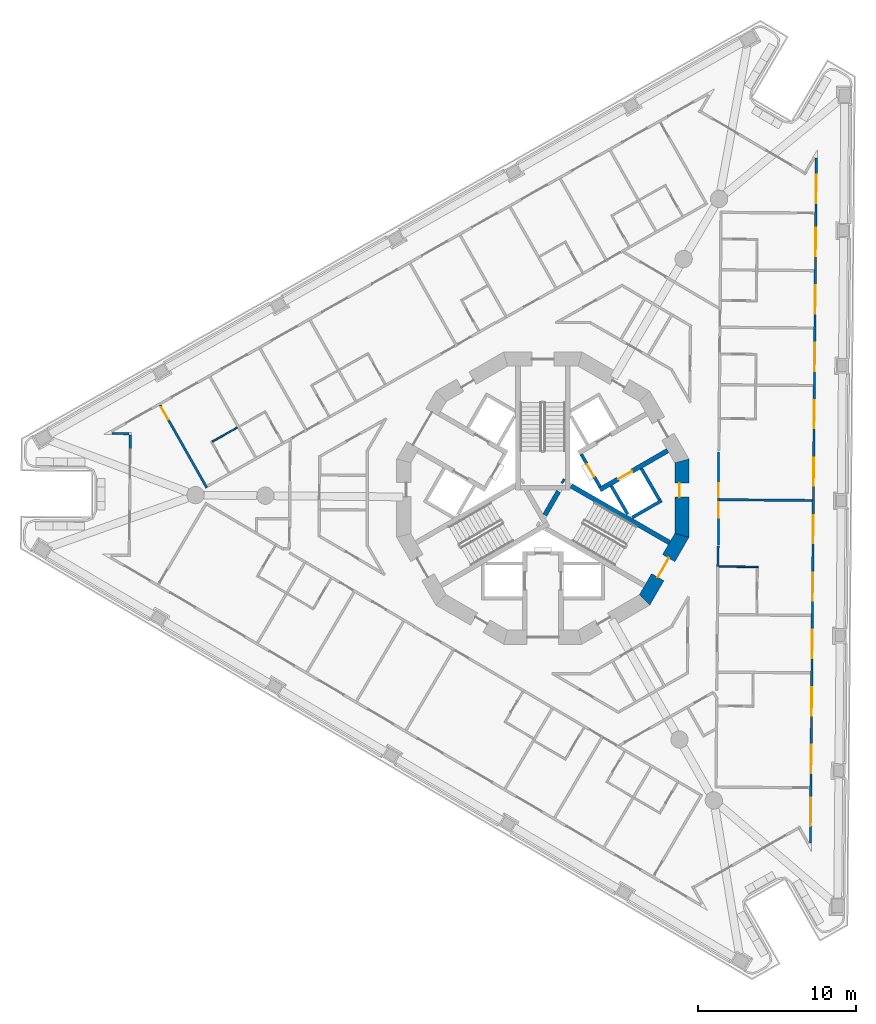
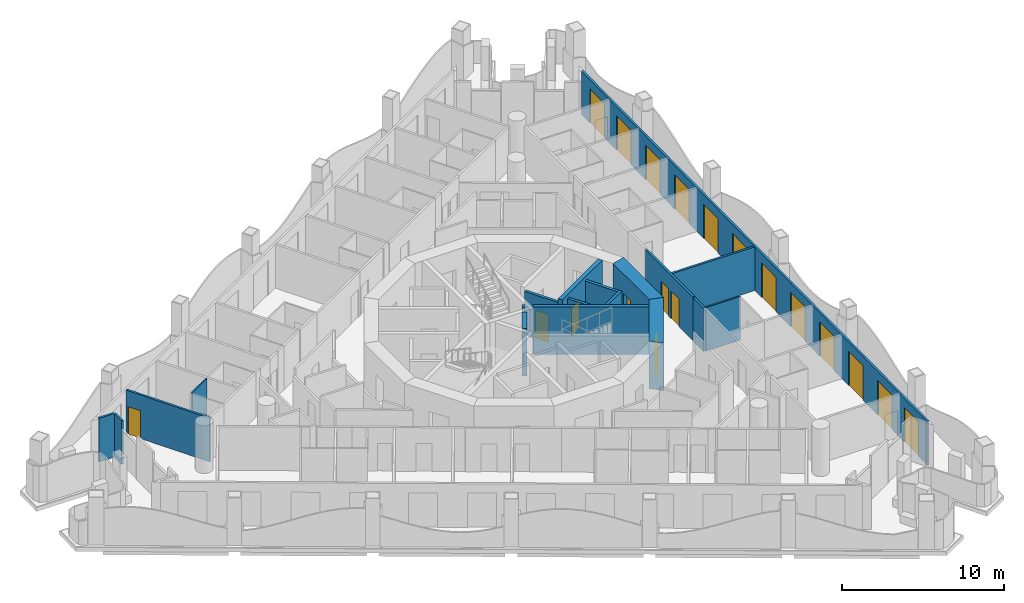
# One storey, part 6 of 17: 19 doors, 19 walls, 19 openings.
"""IFC4 building model written with IfcOpenShell, lengths in metres."""

from ifc_helpers import new_model, si_unit, direction, frame, frame_2d, origin, place, context, subcontext, project, spatial, polyline, rectangle, outline, extrude, material, layer, layer_set, type_object, element, fill, save


model = new_model("IFC4")

# Units and contexts
model_context = context("Model", 3, precision=1e-05, world=origin(), true_north=direction((0.0, 1.0)))
body_context = subcontext(model_context, "Body", "Model", "MODEL_VIEW")
ifc_project = project(units=[si_unit("LENGTHUNIT", "METRE"), si_unit("AREAUNIT", "SQUARE_METRE"), si_unit("VOLUMEUNIT", "CUBIC_METRE"), si_unit("PLANEANGLEUNIT", "RADIAN"), si_unit("MASSUNIT", "GRAM", prefix="KILO")], contexts=[model_context])

# Site, building, storey
site_placement = place(None, origin())
site = spatial("IfcSite", under=ifc_project, at=site_placement, CompositionType="ELEMENT")
building_placement = place(site_placement, origin())
building = spatial("IfcBuilding", under=site, at=building_placement, Name="Trine Commons Tower", CompositionType="ELEMENT")
storey_placement = place(building_placement, frame((0.0, 0.0, 179.10009765625)))
storey = spatial("IfcBuildingStorey", under=building, at=storey_placement, Name="L46", CompositionType="ELEMENT", Elevation=179.10009765625)

# Walls
ifc_material_1 = material(Name="Aluminium-framed insulated wall panel", Category="aluminium")
ifc_layer_1 = layer(ifc_material_1, 0.14990234375)
ifc_layer_set_1 = layer_set([ifc_layer_1], Name="Aluminium-framed insulated wall panel")
wall_type_1 = type_object("IfcWallType", Name="Glazed frame wall 150, EI 60", PredefinedType="SOLIDWALL", material=ifc_layer_set_1)
wall_1_placement = place(storey_placement, frame((53.816162109375, 65.628662109375, 0.0), z_axis=(0.0, 0.0, 1.0), x_axis=(0.008788723053, 0.999961378428, 0.0)))
element("IfcWall", 1, at=wall_1_placement, inside=storey, type_object=wall_type_1, Name="Glazed frame wall P1.5", PredefinedType="SOLIDWALL", context=body_context, shape_type="SweptSolid", body=[
    extrude(outline(polyline([(0.889892578125, 0.074951171875), (0.0, 0.074951171875), (0.0, -0.074951171875), (0.889892578125, -0.074951171875), (0.889892578125, 0.074951171875)])), origin(), (0.0, 0.0, 1.0), 3.2998046875),
])
wall_2_placement = place(storey_placement, frame((53.859619140625, 66.59326171875, 0.0), z_axis=(0.0, 0.0, 1.0), x_axis=(-0.999962043845, 0.008712684354, 0.0)))
element("IfcWall", 2, at=wall_2_placement, inside=storey, type_object=wall_type_1, Name="Glazed frame wall R3", PredefinedType="SOLIDWALL", context=body_context, shape_type="SweptSolid", body=[
    extrude(outline(polyline([(0.110107421875, 0.074951171875), (0.110107421875, -0.074951171875), (1.19580078125, -0.074951171875), (1.19580078125, 0.074951171875), (0.110107421875, 0.074951171875)])), origin(), (0.0, 0.0, 1.0), 3.2998046875),
])

# Wall, openings, doors
wall_3_placement = place(storey_placement, frame((97.36279296875, 84.232421875, 0.0), z_axis=(0.0, 0.0, 1.0), x_axis=(-0.00872447395, -0.999961941053, 0.0)))
wall_3 = element("IfcWall", 3, at=wall_3_placement, inside=storey, type_object=wall_type_1, Name="Glazed frame wall F2", PredefinedType="SOLIDWALL", context=body_context, shape_type="SweptSolid", body=[
    extrude(outline(polyline([(0.1494140625, 0.074951171875), (0.1494140625, -0.074951171875), (43.616943359375, -0.074951171875), (43.616943359375, 0.074951171875), (0.1494140625, 0.074951171875)])), origin(), (0.0, 0.0, 1.0), 3.2998046875),
])
opening_1_placement = place(wall_3_placement, frame((1.2236328125, 0.0, 0.0)))
opening_1 = element("IfcOpeningElement", 4, at=opening_1_placement, cuts=wall_3, Name="Opening BD-5F2-01", PredefinedType="OPENING", context=body_context, shape_type="SweptSolid", body=[
    extrude(rectangle(XDim=1.800048828125, YDim=2.60009765625, at=frame_2d((0.89990234375, 1.300048828125))), frame((0.0, 0.0849609375, 0.0), z_axis=(0.0, -1.0, 0.0), x_axis=(1.0, 0.0, 0.0)), (0.0, 0.0, 1.0), 0.169921875),
])
opening_2_placement = place(wall_3_placement, frame((4.57080078125, 0.0, 0.0)))
opening_2 = element("IfcOpeningElement", 5, at=opening_2_placement, cuts=wall_3, Name="Opening BD-5F2-02", PredefinedType="OPENING", context=body_context, shape_type="SweptSolid", body=[
    extrude(rectangle(XDim=1.800048828125, YDim=2.60009765625, at=frame_2d((0.89990234375, 1.300048828125))), frame((0.0, 0.0849609375, 0.0), z_axis=(0.0, -1.0, 0.0), x_axis=(1.0, 0.0, 0.0)), (0.0, 0.0, 1.0), 0.169921875),
])
opening_3_placement = place(wall_3_placement, frame((8.218017578125, 0.0, 0.0)))
opening_3 = element("IfcOpeningElement", 6, at=opening_3_placement, cuts=wall_3, Name="Opening BD-5F2-03", PredefinedType="OPENING", context=body_context, shape_type="SweptSolid", body=[
    extrude(rectangle(XDim=1.800048828125, YDim=2.60009765625, at=frame_2d((0.89990234375, 1.300048828125))), frame((0.0, 0.0849609375, 0.0), z_axis=(0.0, -1.0, 0.0), x_axis=(1.0, 0.0, 0.0)), (0.0, 0.0, 1.0), 0.169921875),
])
opening_4_placement = place(wall_3_placement, frame((11.865234375, 0.0, 0.0)))
opening_4 = element("IfcOpeningElement", 7, at=opening_4_placement, cuts=wall_3, Name="Opening BD-5F2-04", PredefinedType="OPENING", context=body_context, shape_type="SweptSolid", body=[
    extrude(rectangle(XDim=1.800048828125, YDim=2.60009765625, at=frame_2d((0.89990234375, 1.300048828125))), frame((0.0, 0.0849609375, 0.0), z_axis=(0.0, -1.0, 0.0), x_axis=(1.0, 0.0, 0.0)), (0.0, 0.0, 1.0), 0.169921875),
])
opening_5_placement = place(wall_3_placement, frame((15.512451171875, 0.0, 0.0)))
opening_5 = element("IfcOpeningElement", 8, at=opening_5_placement, cuts=wall_3, Name="Opening BD-5F2-05", PredefinedType="OPENING", context=body_context, shape_type="SweptSolid", body=[
    extrude(rectangle(XDim=1.800048828125, YDim=2.60009765625, at=frame_2d((0.89990234375, 1.300048828125))), frame((0.0, 0.0849609375, 0.0), z_axis=(0.0, -1.0, 0.0), x_axis=(1.0, 0.0, 0.0)), (0.0, 0.0, 1.0), 0.169921875),
])
opening_6_placement = place(wall_3_placement, frame((19.15966796875, 0.0, 0.0)))
opening_6 = element("IfcOpeningElement", 9, at=opening_6_placement, cuts=wall_3, Name="Opening BD-5F2-06", PredefinedType="OPENING", context=body_context, shape_type="SweptSolid", body=[
    extrude(rectangle(XDim=1.800048828125, YDim=2.60009765625, at=frame_2d((0.89990234375, 1.300048828125))), frame((0.0, 0.0849609375, 0.0), z_axis=(0.0, -1.0, 0.0), x_axis=(1.0, 0.0, 0.0)), (0.0, 0.0, 1.0), 0.169921875),
])
opening_7_placement = place(wall_3_placement, frame((22.806884765625, 0.0, 0.0)))
opening_7 = element("IfcOpeningElement", 10, at=opening_7_placement, cuts=wall_3, Name="Opening BD-5F2-07", PredefinedType="OPENING", context=body_context, shape_type="SweptSolid", body=[
    extrude(rectangle(XDim=1.800048828125, YDim=2.60009765625, at=frame_2d((0.89990234375, 1.300048828125))), frame((0.0, 0.0849609375, 0.0), z_axis=(0.0, -1.0, 0.0), x_axis=(1.0, 0.0, 0.0)), (0.0, 0.0, 1.0), 0.169921875),
])
opening_8_placement = place(wall_3_placement, frame((26.4541015625, 0.0, 0.0)))
opening_8 = element("IfcOpeningElement", 11, at=opening_8_placement, cuts=wall_3, Name="Opening BD-5F2-08", PredefinedType="OPENING", context=body_context, shape_type="SweptSolid", body=[
    extrude(rectangle(XDim=1.800048828125, YDim=2.60009765625, at=frame_2d((0.89990234375, 1.300048828125))), frame((0.0, 0.0849609375, 0.0), z_axis=(0.0, -1.0, 0.0), x_axis=(1.0, 0.0, 0.0)), (0.0, 0.0, 1.0), 0.169921875),
])
opening_9_placement = place(wall_3_placement, frame((30.101318359375, 0.0, 0.0)))
opening_9 = element("IfcOpeningElement", 12, at=opening_9_placement, cuts=wall_3, Name="Opening BD-5F2-09", PredefinedType="OPENING", context=body_context, shape_type="SweptSolid", body=[
    extrude(rectangle(XDim=1.800048828125, YDim=2.60009765625, at=frame_2d((0.89990234375, 1.300048828125))), frame((0.0, 0.0849609375, 0.0), z_axis=(0.0, -1.0, 0.0), x_axis=(1.0, 0.0, 0.0)), (0.0, 0.0, 1.0), 0.169921875),
])
opening_10_placement = place(wall_3_placement, frame((33.748291015625, 0.0, 0.0)))
opening_10 = element("IfcOpeningElement", 13, at=opening_10_placement, cuts=wall_3, Name="Opening BD-5F2-10", PredefinedType="OPENING", context=body_context, shape_type="SweptSolid", body=[
    extrude(rectangle(XDim=1.800048828125, YDim=2.60009765625, at=frame_2d((0.89990234375, 1.300048828125))), frame((0.0, 0.0849609375, 0.0), z_axis=(0.0, -1.0, 0.0), x_axis=(1.0, 0.0, 0.0)), (0.0, 0.0, 1.0), 0.169921875),
])
opening_11_placement = place(wall_3_placement, frame((37.3955078125, 0.0, 0.0)))
opening_11 = element("IfcOpeningElement", 14, at=opening_11_placement, cuts=wall_3, Name="Opening BD-5F2-11", PredefinedType="OPENING", context=body_context, shape_type="SweptSolid", body=[
    extrude(rectangle(XDim=1.800048828125, YDim=2.60009765625, at=frame_2d((0.89990234375, 1.300048828125))), frame((0.0, 0.0849609375, 0.0), z_axis=(0.0, -1.0, 0.0), x_axis=(1.0, 0.0, 0.0)), (0.0, 0.0, 1.0), 0.169921875),
])
opening_12_placement = place(wall_3_placement, frame((40.742919921875, 0.0, 0.0)))
opening_12 = element("IfcOpeningElement", 15, at=opening_12_placement, cuts=wall_3, Name="Opening BD-5F2-12", PredefinedType="OPENING", context=body_context, shape_type="SweptSolid", body=[
    extrude(rectangle(XDim=1.800048828125, YDim=2.60009765625, at=frame_2d((0.89990234375, 1.300048828125))), frame((0.0, 0.0849609375, 0.0), z_axis=(0.0, -1.0, 0.0), x_axis=(1.0, 0.0, 0.0)), (0.0, 0.0, 1.0), 0.169921875),
])
ifc_material_2 = material(Name="Anodised aluminium frame with double glazing", Category="aluminium")
door_type_1 = type_object("IfcDoorType", Name="Sliding loggia door 1800x2600", OperationType="SLIDING_TO_LEFT", PredefinedType="DOOR", material=ifc_material_2)
door_1_placement = place(opening_1_placement, origin())
door_1 = element("IfcDoor", 16, at=door_1_placement, inside=storey, type_object=door_type_1, Name="Loggia door F2 1", OperationType="SLIDING_TO_LEFT", OverallHeight=2.60009765625, OverallWidth=1.800048828125, PredefinedType="DOOR", context=body_context, shape_type="SweptSolid", body=[
    extrude(rectangle(XDim=1.800048828125, YDim=2.60009765625, at=frame_2d((0.89990234375, 1.300048828125))), frame((0.0, 0.02490234375, 0.0), z_axis=(0.0, -1.0, 0.0), x_axis=(1.0, 0.0, 0.0)), (0.0, 0.0, 1.0), 0.050048828125),
])
fill(opening_1, door_1)
door_2_placement = place(opening_2_placement, origin())
door_2 = element("IfcDoor", 17, at=door_2_placement, inside=storey, type_object=door_type_1, Name="Loggia door F2 2", OperationType="SLIDING_TO_LEFT", OverallHeight=2.60009765625, OverallWidth=1.800048828125, PredefinedType="DOOR", context=body_context, shape_type="SweptSolid", body=[
    extrude(rectangle(XDim=1.800048828125, YDim=2.60009765625, at=frame_2d((0.89990234375, 1.300048828125))), frame((0.0, 0.02490234375, 0.0), z_axis=(0.0, -1.0, 0.0), x_axis=(1.0, 0.0, 0.0)), (0.0, 0.0, 1.0), 0.050048828125),
])
fill(opening_2, door_2)
door_3_placement = place(opening_3_placement, origin())
door_3 = element("IfcDoor", 18, at=door_3_placement, inside=storey, type_object=door_type_1, Name="Loggia door F2 3", OperationType="SLIDING_TO_LEFT", OverallHeight=2.60009765625, OverallWidth=1.800048828125, PredefinedType="DOOR", context=body_context, shape_type="SweptSolid", body=[
    extrude(rectangle(XDim=1.800048828125, YDim=2.60009765625, at=frame_2d((0.89990234375, 1.300048828125))), frame((0.0, 0.02490234375, 0.0), z_axis=(0.0, -1.0, 0.0), x_axis=(1.0, 0.0, 0.0)), (0.0, 0.0, 1.0), 0.050048828125),
])
fill(opening_3, door_3)
door_4_placement = place(opening_4_placement, origin())
door_4 = element("IfcDoor", 19, at=door_4_placement, inside=storey, type_object=door_type_1, Name="Loggia door F2 4", OperationType="SLIDING_TO_LEFT", OverallHeight=2.60009765625, OverallWidth=1.800048828125, PredefinedType="DOOR", context=body_context, shape_type="SweptSolid", body=[
    extrude(rectangle(XDim=1.800048828125, YDim=2.60009765625, at=frame_2d((0.89990234375, 1.300048828125))), frame((0.0, 0.02490234375, 0.0), z_axis=(0.0, -1.0, 0.0), x_axis=(1.0, 0.0, 0.0)), (0.0, 0.0, 1.0), 0.050048828125),
])
fill(opening_4, door_4)
door_5_placement = place(opening_5_placement, origin())
door_5 = element("IfcDoor", 20, at=door_5_placement, inside=storey, type_object=door_type_1, Name="Loggia door F2 5", OperationType="SLIDING_TO_LEFT", OverallHeight=2.60009765625, OverallWidth=1.800048828125, PredefinedType="DOOR", context=body_context, shape_type="SweptSolid", body=[
    extrude(rectangle(XDim=1.800048828125, YDim=2.60009765625, at=frame_2d((0.89990234375, 1.300048828125))), frame((0.0, 0.02490234375, 0.0), z_axis=(0.0, -1.0, 0.0), x_axis=(1.0, 0.0, 0.0)), (0.0, 0.0, 1.0), 0.050048828125),
])
fill(opening_5, door_5)
door_6_placement = place(opening_6_placement, origin())
door_6 = element("IfcDoor", 21, at=door_6_placement, inside=storey, type_object=door_type_1, Name="Loggia door F2 6", OperationType="SLIDING_TO_LEFT", OverallHeight=2.60009765625, OverallWidth=1.800048828125, PredefinedType="DOOR", context=body_context, shape_type="SweptSolid", body=[
    extrude(rectangle(XDim=1.800048828125, YDim=2.60009765625, at=frame_2d((0.89990234375, 1.300048828125))), frame((0.0, 0.02490234375, 0.0), z_axis=(0.0, -1.0, 0.0), x_axis=(1.0, 0.0, 0.0)), (0.0, 0.0, 1.0), 0.050048828125),
])
fill(opening_6, door_6)
door_7_placement = place(opening_7_placement, origin())
door_7 = element("IfcDoor", 22, at=door_7_placement, inside=storey, type_object=door_type_1, Name="Loggia door F2 7", OperationType="SLIDING_TO_LEFT", OverallHeight=2.60009765625, OverallWidth=1.800048828125, PredefinedType="DOOR", context=body_context, shape_type="SweptSolid", body=[
    extrude(rectangle(XDim=1.800048828125, YDim=2.60009765625, at=frame_2d((0.89990234375, 1.300048828125))), frame((0.0, 0.02490234375, 0.0), z_axis=(0.0, -1.0, 0.0), x_axis=(1.0, 0.0, 0.0)), (0.0, 0.0, 1.0), 0.050048828125),
])
fill(opening_7, door_7)
door_8_placement = place(opening_8_placement, origin())
door_8 = element("IfcDoor", 23, at=door_8_placement, inside=storey, type_object=door_type_1, Name="Loggia door F2 8", OperationType="SLIDING_TO_LEFT", OverallHeight=2.60009765625, OverallWidth=1.800048828125, PredefinedType="DOOR", context=body_context, shape_type="SweptSolid", body=[
    extrude(rectangle(XDim=1.800048828125, YDim=2.60009765625, at=frame_2d((0.89990234375, 1.300048828125))), frame((0.0, 0.02490234375, 0.0), z_axis=(0.0, -1.0, 0.0), x_axis=(1.0, 0.0, 0.0)), (0.0, 0.0, 1.0), 0.050048828125),
])
fill(opening_8, door_8)
door_9_placement = place(opening_9_placement, origin())
door_9 = element("IfcDoor", 24, at=door_9_placement, inside=storey, type_object=door_type_1, Name="Loggia door F2 9", OperationType="SLIDING_TO_LEFT", OverallHeight=2.60009765625, OverallWidth=1.800048828125, PredefinedType="DOOR", context=body_context, shape_type="SweptSolid", body=[
    extrude(rectangle(XDim=1.800048828125, YDim=2.60009765625, at=frame_2d((0.89990234375, 1.300048828125))), frame((0.0, 0.02490234375, 0.0), z_axis=(0.0, -1.0, 0.0), x_axis=(1.0, 0.0, 0.0)), (0.0, 0.0, 1.0), 0.050048828125),
])
fill(opening_9, door_9)
door_10_placement = place(opening_10_placement, origin())
door_10 = element("IfcDoor", 25, at=door_10_placement, inside=storey, type_object=door_type_1, Name="Loggia door F2 10", OperationType="SLIDING_TO_LEFT", OverallHeight=2.60009765625, OverallWidth=1.800048828125, PredefinedType="DOOR", context=body_context, shape_type="SweptSolid", body=[
    extrude(rectangle(XDim=1.800048828125, YDim=2.60009765625, at=frame_2d((0.89990234375, 1.300048828125))), frame((0.0, 0.02490234375, 0.0), z_axis=(0.0, -1.0, 0.0), x_axis=(1.0, 0.0, 0.0)), (0.0, 0.0, 1.0), 0.050048828125),
])
fill(opening_10, door_10)
door_11_placement = place(opening_11_placement, origin())
door_11 = element("IfcDoor", 26, at=door_11_placement, inside=storey, type_object=door_type_1, Name="Loggia door F2 11", OperationType="SLIDING_TO_LEFT", OverallHeight=2.60009765625, OverallWidth=1.800048828125, PredefinedType="DOOR", context=body_context, shape_type="SweptSolid", body=[
    extrude(rectangle(XDim=1.800048828125, YDim=2.60009765625, at=frame_2d((0.89990234375, 1.300048828125))), frame((0.0, 0.02490234375, 0.0), z_axis=(0.0, -1.0, 0.0), x_axis=(1.0, 0.0, 0.0)), (0.0, 0.0, 1.0), 0.050048828125),
])
fill(opening_11, door_11)
door_12_placement = place(opening_12_placement, origin())
door_12 = element("IfcDoor", 27, at=door_12_placement, inside=storey, type_object=door_type_1, Name="Loggia door F2 12", OperationType="SLIDING_TO_LEFT", OverallHeight=2.60009765625, OverallWidth=1.800048828125, PredefinedType="DOOR", context=body_context, shape_type="SweptSolid", body=[
    extrude(rectangle(XDim=1.800048828125, YDim=2.60009765625, at=frame_2d((0.89990234375, 1.300048828125))), frame((0.0, 0.02490234375, 0.0), z_axis=(0.0, -1.0, 0.0), x_axis=(1.0, 0.0, 0.0)), (0.0, 0.0, 1.0), 0.050048828125),
])
fill(opening_12, door_12)

# Wall, opening, door
ifc_material_3 = material(Name="Fire-rated gypsum shaft wall system")
ifc_layer_2 = layer(ifc_material_3, 0.199951171875)
ifc_layer_set_2 = layer_set([ifc_layer_2], Name="Fire-rated gypsum shaft wall system")
wall_type_2 = type_object("IfcWallType", Name="Lobby end wall 200 mm, EI 120", PredefinedType="PARTITIONING", material=ifc_layer_set_2)
wall_4_placement = place(storey_placement, frame((83.631103515625, 63.2109375, 0.0), z_axis=(0.0, 0.0, 1.0), x_axis=(-0.50012165622, 0.865955154139, 0.0)))
wall_4 = element("IfcWall", 28, at=wall_4_placement, inside=storey, type_object=wall_type_2, Name="Lobby end wall L46", PredefinedType="PARTITIONING", context=body_context, shape_type="SweptSolid", body=[
    extrude(rectangle(XDim=2.39990234375, YDim=0.199951171875, at=frame_2d((1.199951171875, 0.0))), origin(), (0.0, 0.0, 1.0), 3.2998046875),
])
opening_13_placement = place(wall_4_placement, frame((0.749755859375, 0.0, 0.0)))
opening_13 = element("IfcOpeningElement", 29, at=opening_13_placement, cuts=wall_4, Name="Opening K09.05", PredefinedType="OPENING", context=body_context, shape_type="SweptSolid", body=[
    extrude(rectangle(XDim=0.89990234375, YDim=2.10009765625, at=frame_2d((0.449951171875, 1.050048828125))), frame((0.0, 0.10986328125, 0.0), z_axis=(0.0, -1.0, 0.0), x_axis=(1.0, 0.0, 0.0)), (0.0, 0.0, 1.0), 0.219970703125),
])
ifc_material_4 = material(Name="Steel door leaf, fire-rated", Category="steel")
door_type_2 = type_object("IfcDoorType", Name="Riser access door, single leaf 900 x 2100, FD60", OperationType="SINGLE_SWING_LEFT", PredefinedType="DOOR", material=ifc_material_4)
door_13_placement = place(opening_13_placement, frame((0.89990234375, 0.0, 0.0), z_axis=(0.0, 0.0, 1.0), x_axis=(-1.0, 0.0, 0.0)))
door_13 = element("IfcDoor", 30, at=door_13_placement, inside=storey, type_object=door_type_2, Name="Riser door, Electrical riser L46", OperationType="SINGLE_SWING_LEFT", OverallHeight=2.10009765625, OverallWidth=0.89990234375, PredefinedType="DOOR", context=body_context, shape_type="SweptSolid", body=[
    extrude(rectangle(XDim=0.89990234375, YDim=2.10009765625, at=frame_2d((0.449951171875, 1.050048828125))), frame((0.0, 0.02490234375, 0.0), z_axis=(0.0, -1.0, 0.0), x_axis=(1.0, 0.0, 0.0)), (0.0, 0.0, 1.0), 0.050048828125),
])
fill(opening_13, door_13)

ifc_material_5 = material(Name="Concrete C60/75", Category="concrete")
ifc_layer_3 = layer(ifc_material_5, 0.300048828125)
ifc_layer_set_3 = layer_set([ifc_layer_3], Name="Concrete C60/75")
wall_type_3 = type_object("IfcWallType", Name="RC shear wall 300 mm, C60/75", PredefinedType="SHEAR", material=ifc_layer_set_3)
wall_5_placement = place(storey_placement, frame((83.618896484375, 63.031005859375, 0.0), z_axis=(0.0, 0.0, 1.0), x_axis=(0.866080953719, 0.499903772346, 0.0)))
wall_5 = element("IfcWall", 31, at=wall_5_placement, inside=storey, type_object=wall_type_3, Name="Core cross wall SWB-06 L46", PredefinedType="SHEAR", context=body_context, shape_type="SweptSolid", body=[
    extrude(rectangle(XDim=4.97314453125, YDim=0.300048828125, at=frame_2d((2.486572265625, 0.0))), origin(), (0.0, 0.0, 1.0), 3.599853515625),
])
opening_14_placement = place(wall_5_placement, frame((1.350341796875, 0.0, 0.0)))
opening_14 = element("IfcOpeningElement", 32, at=opening_14_placement, cuts=wall_5, Name="Opening LD6", PredefinedType="OPENING", context=body_context, shape_type="SweptSolid", body=[
    extrude(rectangle(XDim=1.0, YDim=2.10009765625, at=frame_2d((0.5, 1.050048828125))), frame((0.0, 0.159912109375, 0.0), z_axis=(0.0, -1.0, 0.0), x_axis=(1.0, 0.0, 0.0)), (0.0, 0.0, 1.0), 0.320068359375),
])
ifc_material_6 = material(Name="Stainless steel sliding door leaves", Category="steel")
door_type_3 = type_object("IfcDoorType", Name="Lift landing door, centre-opening sliding 1000 x 2100, FD90", OperationType="DOUBLE_DOOR_SLIDING", PredefinedType="DOOR", material=ifc_material_6)
door_14_placement = place(opening_14_placement, origin())
door_14 = element("IfcDoor", 33, at=door_14_placement, inside=storey, type_object=door_type_3, Name="Lift landing door HR2 L46", OperationType="DOUBLE_DOOR_SLIDING", OverallHeight=2.10009765625, OverallWidth=1.0, PredefinedType="DOOR", context=body_context, shape_type="SweptSolid", body=[
    extrude(rectangle(XDim=1.0, YDim=2.10009765625, at=frame_2d((0.5, 1.050048828125))), frame((0.0, 0.02490234375, 0.0), z_axis=(0.0, -1.0, 0.0), x_axis=(1.0, 0.0, 0.0)), (0.0, 0.0, 1.0), 0.050048828125),
])
fill(opening_14, door_14)

# Walls
wall_6_placement = place(storey_placement, frame((80.1298828125, 61.424072265625, 0.0), z_axis=(0.0, 0.0, 1.0), x_axis=(0.500014901547, 0.866016800201, 0.0)))
element("IfcWall", 34, at=wall_6_placement, inside=storey, type_object=wall_type_3, Name="Core cross wall SWB-12 L46", PredefinedType="SHEAR", context=body_context, shape_type="SweptSolid", body=[
    extrude(rectangle(XDim=1.734375, YDim=0.300048828125, at=frame_2d((0.8671875, 0.0))), origin(), (0.0, 0.0, 1.0), 3.599853515625),
])
wall_7_placement = place(storey_placement, frame((81.220947265625, 63.614013671875, 0.0), z_axis=(0.0, 0.0, 1.0), x_axis=(0.867737973955, -0.497021939713, 0.0)))
element("IfcWall", 35, at=wall_7_placement, inside=storey, type_object=wall_type_3, Name="Core cross wall SWB-15 L46", PredefinedType="SHEAR", context=body_context, shape_type="SweptSolid", body=[
    extrude(rectangle(XDim=0.14892578125, YDim=0.300048828125, at=frame_2d((0.074462890625, 0.0))), origin(), (0.0, 0.0, 1.0), 3.599853515625),
])
wall_8_placement = place(storey_placement, frame((81.800048828125, 63.280029296875, 0.0), z_axis=(0.0, 0.0, 1.0), x_axis=(0.866028135082, -0.499995269223, 0.0)))
element("IfcWall", 36, at=wall_8_placement, inside=storey, type_object=wall_type_3, Name="Core cross wall SWB-18 L46", PredefinedType="SHEAR", context=body_context, shape_type="SweptSolid", body=[
    extrude(rectangle(XDim=7.2041015625, YDim=0.300048828125, at=frame_2d((3.60205078125, 0.0))), origin(), (0.0, 0.0, 1.0), 3.599853515625),
])

# Wall, opening, door
ifc_layer_4 = layer(ifc_material_5, 0.89990234375)
ifc_layer_set_4 = layer_set([ifc_layer_4], Name="Concrete C60/75")
wall_type_4 = type_object("IfcWallType", Name="RC shear wall 900 mm, C60/75", PredefinedType="SHEAR", material=ifc_layer_set_4)
wall_9_placement = place(storey_placement, frame((88.822998046875, 60.015380859375, 0.0), z_axis=(0.0, 0.0, 1.0), x_axis=(0.0, 1.0, 0.0)))
wall_9 = element("IfcWall", 37, at=wall_9_placement, inside=storey, type_object=wall_type_4, Name="Core wall CWE-01 L46", PredefinedType="SHEAR", context=body_context, shape_type="SweptSolid", body=[
    extrude(outline(polyline([(0.0, -0.449951171875), (4.969482421875, -0.449951171875), (4.728271484375, 0.449951171875), (0.2412109375, 0.449951171875), (0.0, -0.449951171875)])), origin(), (0.0, 0.0, 1.0), 3.599853515625),
])
opening_15_placement = place(wall_9_placement, frame((2.543701171875, 0.0, 0.0)))
opening_15 = element("IfcOpeningElement", 38, at=opening_15_placement, cuts=wall_9, Name="Opening K09.10", PredefinedType="OPENING", context=body_context, shape_type="SweptSolid", body=[
    extrude(rectangle(XDim=0.89990234375, YDim=2.10009765625, at=frame_2d((0.449951171875, 1.050048828125))), frame((0.0, 0.4599609375, 0.0), z_axis=(0.0, -1.0, 0.0), x_axis=(1.0, 0.0, 0.0)), (0.0, 0.0, 1.0), 0.919921875),
])
door_type_4 = type_object("IfcDoorType", Name="Core room door, single leaf 900 x 2100, FD30S", OperationType="SINGLE_SWING_LEFT", PredefinedType="DOOR", material=ifc_material_4)
door_15_placement = place(opening_15_placement, origin())
door_15 = element("IfcDoor", 39, at=door_15_placement, inside=storey, type_object=door_type_4, Name="Door to Core WC L46", OperationType="SINGLE_SWING_RIGHT", OverallHeight=2.10009765625, OverallWidth=0.89990234375, PredefinedType="DOOR", context=body_context, shape_type="SweptSolid", body=[
    extrude(rectangle(XDim=0.89990234375, YDim=2.10009765625, at=frame_2d((0.449951171875, 1.050048828125))), frame((0.0, 0.1748046875, 0.0), z_axis=(0.0, -1.0, 0.0), x_axis=(1.0, 0.0, 0.0)), (0.0, 0.0, 1.0), 0.050048828125),
])
fill(opening_15, door_15)

wall_10_placement = place(storey_placement, frame((86.3984375, 55.936767578125, 0.0), z_axis=(0.0, 0.0, 1.0), x_axis=(0.500038571144, 0.866003133579, 0.0)))
wall_10 = element("IfcWall", 40, at=wall_10_placement, inside=storey, type_object=wall_type_4, Name="Core wall CWE-12 L46", PredefinedType="SHEAR", context=body_context, shape_type="SweptSolid", body=[
    extrude(outline(polyline([(0.0, -0.449951171875), (4.96923828125, -0.449951171875), (4.72802734375, 0.449951171875), (0.2412109375, 0.449951171875), (0.0, -0.449951171875)])), origin(), (0.0, 0.0, 1.0), 3.599853515625),
])
opening_16_placement = place(wall_10_placement, frame((1.78466796875, 0.0, 0.0)))
opening_16 = element("IfcOpeningElement", 41, at=opening_16_placement, cuts=wall_10, Name="Opening K09.03", PredefinedType="OPENING", context=body_context, shape_type="SweptSolid", body=[
    extrude(rectangle(XDim=1.39990234375, YDim=2.10009765625, at=frame_2d((0.699951171875, 1.050048828125))), frame((0.0, 0.4599609375, 0.0), z_axis=(0.0, -1.0, 0.0), x_axis=(1.0, 0.0, 0.0)), (0.0, 0.0, 1.0), 0.919921875),
])
ifc_material_7 = material(Name="Steel door leaves, fire-rated", Category="steel")
door_type_5 = type_object("IfcDoorType", Name="Stair door, double leaf 1400 x 2100, FD90", OperationType="DOUBLE_DOOR_SINGLE_SWING", PredefinedType="DOOR", material=ifc_material_7)
door_16_placement = place(opening_16_placement, origin())
door_16 = element("IfcDoor", 42, at=door_16_placement, inside=storey, type_object=door_type_5, Name="Stair door to Exit stair ST3B L46", OperationType="DOUBLE_DOOR_SINGLE_SWING", OverallHeight=2.10009765625, OverallWidth=1.39990234375, PredefinedType="DOOR", context=body_context, shape_type="SweptSolid", body=[
    extrude(rectangle(XDim=1.39990234375, YDim=2.10009765625, at=frame_2d((0.699951171875, 1.050048828125))), frame((0.0, 0.02490234375, 0.0), z_axis=(0.0, -1.0, 0.0), x_axis=(1.0, 0.0, 0.0)), (0.0, 0.0, 1.0), 0.050048828125),
])
fill(opening_16, door_16)

# Walls
ifc_layer_5 = layer(ifc_material_3, 0.199951171875)
ifc_layer_set_5 = layer_set([ifc_layer_5], Name="Fire-rated gypsum shaft wall system")
wall_type_5 = type_object("IfcWallType", Name="Shaft wall 200 mm, EI 120", PredefinedType="PARTITIONING", material=ifc_layer_set_5)
wall_11_placement = place(storey_placement, frame((84.343994140625, 63.27587890625, 0.0), z_axis=(0.0, 0.0, 1.0), x_axis=(0.500271688072, -0.86586848777, 0.0)))
element("IfcWall", 43, at=wall_11_placement, inside=storey, type_object=wall_type_5, Name="Shaft wall L46", PredefinedType="PARTITIONING", context=body_context, shape_type="SweptSolid", body=[
    extrude(rectangle(XDim=2.064697265625, YDim=0.199951171875, at=frame_2d((1.0322265625, 0.0))), origin(), (0.0, 0.0, 1.0), 3.2998046875),
])
wall_12_placement = place(storey_placement, frame((85.675048828125, 61.27392578125, 0.0), z_axis=(0.0, 0.0, 1.0), x_axis=(0.866102336459, 0.499866725018, 0.0)))
element("IfcWall", 44, at=wall_12_placement, inside=storey, type_object=wall_type_5, Name="Shaft wall L46", PredefinedType="PARTITIONING", context=body_context, shape_type="SweptSolid", body=[
    extrude(rectangle(XDim=2.1484375, YDim=0.199951171875, at=frame_2d((1.07421875, 0.0))), origin(), (0.0, 0.0, 1.0), 3.2998046875),
])
wall_13_placement = place(storey_placement, frame((86.2490234375, 64.3759765625, 0.0), z_axis=(0.0, 0.0, 1.0), x_axis=(0.500136062276, -0.86594683394, 0.0)))
element("IfcWall", 45, at=wall_13_placement, inside=storey, type_object=wall_type_5, Name="Shaft wall L46", PredefinedType="PARTITIONING", context=body_context, shape_type="SweptSolid", body=[
    extrude(rectangle(XDim=2.299072265625, YDim=0.199951171875, at=frame_2d((1.1494140625, 0.0))), origin(), (0.0, 0.0, 1.0), 3.2998046875),
])

# Wall, opening, door
ifc_material_8 = material(Name="Gypsum plasterboard on steel stud", Category="steel")
ifc_layer_6 = layer(ifc_material_8, 0.14990234375)
ifc_layer_set_6 = layer_set([ifc_layer_6], Name="Gypsum plasterboard on steel stud")
wall_type_6 = type_object("IfcWallType", Name="Unit and corridor wall 150 mm, EI 60", PredefinedType="PARTITIONING", material=ifc_layer_set_6)
wall_14_placement = place(storey_placement, frame((55.708740234375, 68.401123046875, 0.0), z_axis=(0.0, 0.0, 1.0), x_axis=(0.492481823802, -0.870322729351, 0.0)))
wall_14 = element("IfcWall", 46, at=wall_14_placement, inside=storey, type_object=wall_type_6, Name="Partition 002", PredefinedType="PARTITIONING", context=body_context, shape_type="SweptSolid", body=[
    extrude(rectangle(XDim=6.024658203125, YDim=0.14990234375, at=frame_2d((3.01220703125, 0.0))), origin(), (0.0, 0.0, 1.0), 3.2998046875),
])
opening_17_placement = place(wall_14_placement, frame((0.14990234375, 0.0, 0.0)))
opening_17 = element("IfcOpeningElement", 47, at=opening_17_placement, cuts=wall_14, Name="Opening D-5B06", PredefinedType="OPENING", context=body_context, shape_type="SweptSolid", body=[
    extrude(rectangle(XDim=0.89990234375, YDim=2.10009765625, at=frame_2d((0.449951171875, 1.050048828125))), frame((0.0, 0.0849609375, 0.0), z_axis=(0.0, -1.0, 0.0), x_axis=(1.0, 0.0, 0.0)), (0.0, 0.0, 1.0), 0.169921875),
])
ifc_material_9 = material(Name="Timber fire door set", Category="wood")
door_type_6 = type_object("IfcDoorType", Name="Bedroom door 900 x 2100, FD30S", OperationType="NOTDEFINED", PredefinedType="DOOR", material=ifc_material_9)
door_17_placement = place(opening_17_placement, origin())
door_17 = element("IfcDoor", 48, at=door_17_placement, inside=storey, type_object=door_type_6, Name="Door D-5B06", OperationType="SINGLE_SWING_LEFT", OverallHeight=2.10009765625, OverallWidth=0.89990234375, PredefinedType="DOOR", context=body_context, shape_type="SweptSolid", body=[
    extrude(rectangle(XDim=0.89990234375, YDim=2.10009765625, at=frame_2d((0.449951171875, 1.050048828125))), frame((0.0, 0.02490234375, 0.0), z_axis=(0.0, -1.0, 0.0), x_axis=(1.0, 0.0, 0.0)), (0.0, 0.0, 1.0), 0.050048828125),
])
fill(opening_17, door_17)

# Wall
wall_15_placement = place(storey_placement, frame((91.111083984375, 58.154052734375, 0.0), z_axis=(0.0, 0.0, 1.0), x_axis=(0.008354702831, 0.999965098861, 0.0)))
element("IfcWall", 49, at=wall_15_placement, inside=storey, type_object=wall_type_6, Name="Partition 127", PredefinedType="PARTITIONING", context=body_context, shape_type="SweptSolid", body=[
    extrude(rectangle(XDim=1.31494140625, YDim=0.14990234375, at=frame_2d((0.657470703125, 0.0))), origin(), (0.0, 0.0, 1.0), 3.2998046875),
])

# Wall, openings, doors
wall_16_placement = place(storey_placement, frame((91.14794921875, 59.512939453125, 0.0), z_axis=(0.0, 0.0, 1.0), x_axis=(0.0, 1.0, 0.0)))
wall_16 = element("IfcWall", 50, at=wall_16_placement, inside=storey, type_object=wall_type_6, Name="Partition 129", PredefinedType="PARTITIONING", context=body_context, shape_type="SweptSolid", body=[
    extrude(rectangle(XDim=5.899169921875, YDim=0.14990234375, at=frame_2d((2.94970703125, 0.0))), origin(), (0.0, 0.0, 1.0), 3.2998046875),
])
opening_18_placement = place(wall_16_placement, frame((3.0400390625, 0.0, 0.0)))
opening_18 = element("IfcOpeningElement", 51, at=opening_18_placement, cuts=wall_16, Name="Opening D-5B18", PredefinedType="OPENING", context=body_context, shape_type="SweptSolid", body=[
    extrude(rectangle(XDim=0.89990234375, YDim=2.10009765625, at=frame_2d((0.449951171875, 1.050048828125))), frame((0.0, 0.0849609375, 0.0), z_axis=(0.0, -1.0, 0.0), x_axis=(1.0, 0.0, 0.0)), (0.0, 0.0, 1.0), 0.169921875),
])
opening_19_placement = place(wall_16_placement, frame((1.739990234375, 0.0, 0.0)))
opening_19 = element("IfcOpeningElement", 52, at=opening_19_placement, cuts=wall_16, Name="Opening D-5B19", PredefinedType="OPENING", context=body_context, shape_type="SweptSolid", body=[
    extrude(rectangle(XDim=1.0, YDim=2.10009765625, at=frame_2d((0.5, 1.050048828125))), frame((0.0, 0.0849609375, 0.0), z_axis=(0.0, -1.0, 0.0), x_axis=(1.0, 0.0, 0.0)), (0.0, 0.0, 1.0), 0.169921875),
])
door_type_7 = type_object("IfcDoorType", Name="Bedroom door 1000 x 2100, FD30S", OperationType="NOTDEFINED", PredefinedType="DOOR", material=ifc_material_9)
door_18_placement = place(opening_19_placement, frame((1.0, 0.0, 0.0), z_axis=(0.0, 0.0, 1.0), x_axis=(-1.0, 0.0, 0.0)))
door_18 = element("IfcDoor", 53, at=door_18_placement, inside=storey, type_object=door_type_7, Name="Door D-5B19", OperationType="SINGLE_SWING_RIGHT", OverallHeight=2.10009765625, OverallWidth=1.0, PredefinedType="DOOR", context=body_context, shape_type="SweptSolid", body=[
    extrude(rectangle(XDim=1.0, YDim=2.10009765625, at=frame_2d((0.5, 1.050048828125))), frame((0.0, 0.02490234375, 0.0), z_axis=(0.0, -1.0, 0.0), x_axis=(1.0, 0.0, 0.0)), (0.0, 0.0, 1.0), 0.050048828125),
])
fill(opening_19, door_18)
door_19_placement = place(opening_18_placement, frame((0.89990234375, 0.0, 0.0), z_axis=(0.0, 0.0, 1.0), x_axis=(-1.0, 0.0, 0.0)))
door_19 = element("IfcDoor", 54, at=door_19_placement, inside=storey, type_object=door_type_6, Name="Door D-5B18", OperationType="SINGLE_SWING_LEFT", OverallHeight=2.10009765625, OverallWidth=0.89990234375, PredefinedType="DOOR", context=body_context, shape_type="SweptSolid", body=[
    extrude(rectangle(XDim=0.89990234375, YDim=2.10009765625, at=frame_2d((0.449951171875, 1.050048828125))), frame((0.0, 0.02490234375, 0.0), z_axis=(0.0, -1.0, 0.0), x_axis=(1.0, 0.0, 0.0)), (0.0, 0.0, 1.0), 0.050048828125),
])
fill(opening_18, door_19)

# Walls
wall_17_placement = place(storey_placement, frame((91.222900390625, 62.40234375, 0.0), z_axis=(0.0, 0.0, 1.0), x_axis=(0.999960815669, -0.008852520937, 0.0)))
element("IfcWall", 55, at=wall_17_placement, inside=storey, type_object=wall_type_6, Name="Partition 130", PredefinedType="PARTITIONING", context=body_context, shape_type="SweptSolid", body=[
    extrude(rectangle(XDim=5.874267578125, YDim=0.14990234375, at=frame_2d((2.93701171875, 0.0))), origin(), (0.0, 0.0, 1.0), 3.2998046875),
])
ifc_layer_7 = layer(ifc_material_8, 0.10009765625)
ifc_layer_set_7 = layer_set([ifc_layer_7], Name="Gypsum plasterboard on steel stud")
wall_type_7 = type_object("IfcWallType", Name="Unit partition 100 mm, no rating", PredefinedType="PARTITIONING", material=ifc_layer_set_7)
wall_18_placement = place(storey_placement, frame((59.026611328125, 66.085693359375, 0.0), z_axis=(0.0, 0.0, 1.0), x_axis=(0.870375876163, 0.492387889974, 0.0)))
element("IfcWall", 56, at=wall_18_placement, inside=storey, type_object=wall_type_7, Name="Partition 007", PredefinedType="PARTITIONING", context=body_context, shape_type="SweptSolid", body=[
    extrude(rectangle(XDim=1.82470703125, YDim=0.10009765625, at=frame_2d((0.912353515625, 0.0))), origin(), (0.0, 0.0, 1.0), 3.2998046875),
])
wall_19_placement = place(storey_placement, frame((91.18603515625, 58.157470703125, 0.0), z_axis=(0.0, 0.0, 1.0), x_axis=(0.999964846703, -0.008384829039, 0.0)))
element("IfcWall", 57, at=wall_19_placement, inside=storey, type_object=wall_type_7, Name="Partition 128", PredefinedType="PARTITIONING", context=body_context, shape_type="SweptSolid", body=[
    extrude(rectangle(XDim=2.474853515625, YDim=0.10009765625, at=frame_2d((1.2373046875, 0.0))), origin(), (0.0, 0.0, 1.0), 3.2998046875),
])

save(model, "model.ifc")
